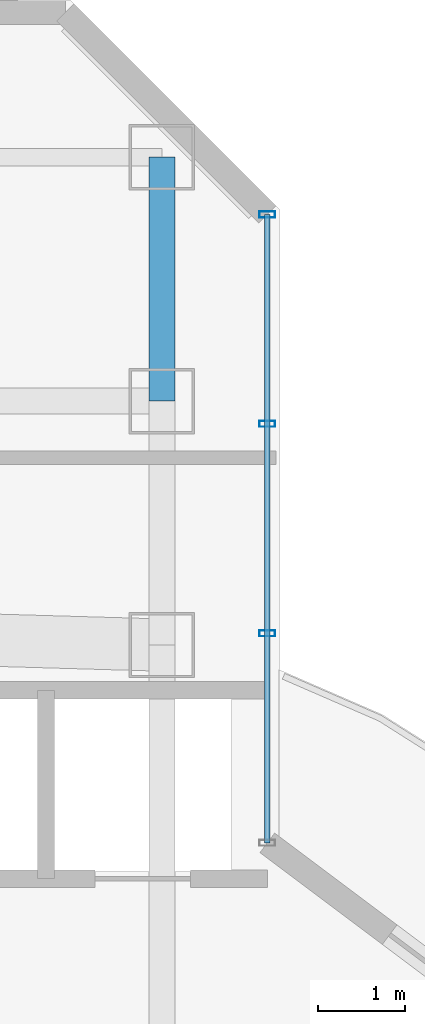
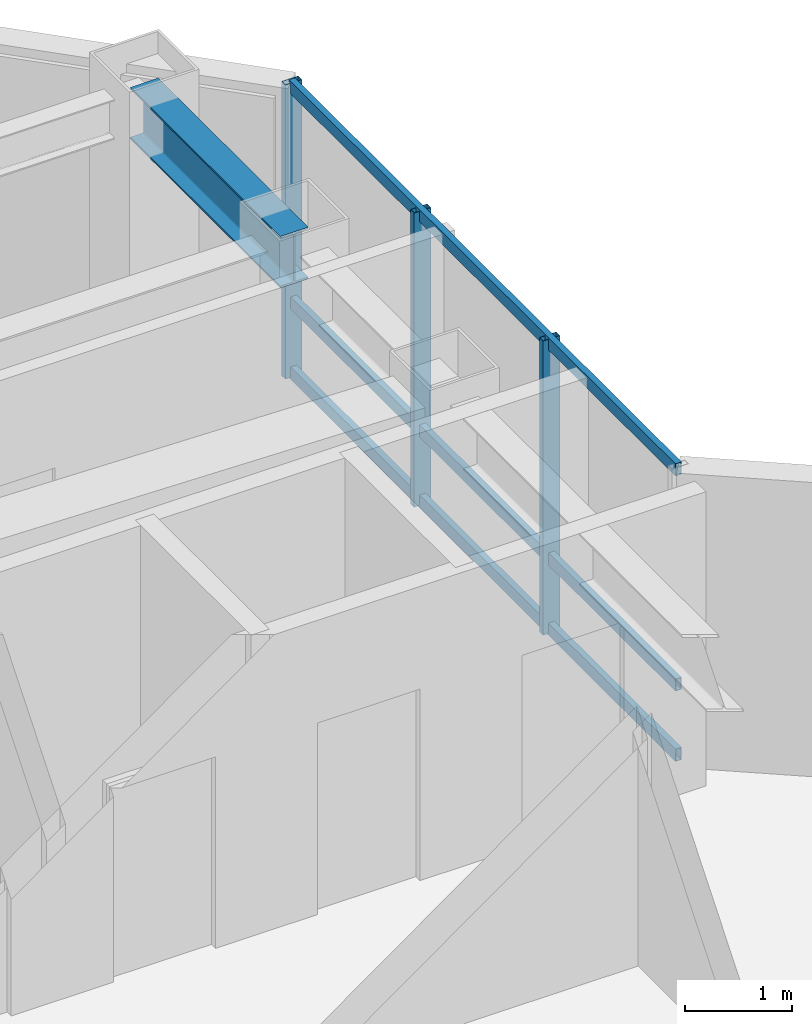
# One storey, part 17 of 24: 6 members, 1 beam, 1 element without a shape of its own.
"""IFC4 building model written with IfcOpenShell, lengths in metres."""

from ifc_helpers import new_model, si_unit, direction, frame, origin, origin_2d, place, context, subcontext, project, spatial, hollow_rectangle, i_section, extrude, material, layer, layer_set, material_profile, profile_set, type_object, element, aggregate, save


model = new_model("IFC4")

# Units and contexts
model_context = context("Model", 3, precision=1e-05, world=origin(), true_north=direction((0.0, 1.0)))
body_context = subcontext(model_context, "Body", "Model", "MODEL_VIEW")
ifc_project = project(units=[si_unit("LENGTHUNIT", "METRE"), si_unit("AREAUNIT", "SQUARE_METRE"), si_unit("VOLUMEUNIT", "CUBIC_METRE"), si_unit("PLANEANGLEUNIT", "RADIAN"), si_unit("MASSUNIT", "GRAM", prefix="KILO")], contexts=[model_context])

# Site, building, storey
site_placement = place(None, origin())
site = spatial("IfcSite", under=ifc_project, at=site_placement, CompositionType="ELEMENT")
building_placement = place(site_placement, origin())
building = spatial("IfcBuilding", under=site, at=building_placement, Name="Hatsunagi Terrace Concourse", CompositionType="ELEMENT")
storey_placement = place(building_placement, frame((0.0, 0.0, 202.35009765625)))
storey = spatial("IfcBuildingStorey", under=building, at=storey_placement, Name="L53", CompositionType="ELEMENT", Elevation=202.35009765625)

# Curtain wall, members
ifc_material_1 = material(Name="Anodised Aluminium Alloy 6063-T5", Category="aluminium")
ifc_layer = layer(ifc_material_1, 0.199951171875)
ifc_layer_set = layer_set([ifc_layer], Name="OfficeZone2_CW04")
curtain_wall_type = type_object("IfcCurtainWallType", Name="OfficeZone2_CW04", PredefinedType="NOTDEFINED", material=ifc_layer_set)
curtain_wall_placement = place(storey_placement, origin())
curtain_wall = element("IfcCurtainWall", 1, at=curtain_wall_placement, inside=storey, type_object=curtain_wall_type, Name="Unitised Curtain Wall CW-04 CW-L53-12", PredefinedType="NOTDEFINED")
ifc_material_2 = material(Name="Anodised Aluminium Alloy 6063-T5", Category="aluminium")
ifc_material_profile_1 = material_profile(ifc_material_2, hollow_rectangle(XDim=0.070068359375, YDim=0.179931640625, WallThickness=0.00390625, at=origin_2d()), Name="ALU-MUL-180x70x4")
ifc_profile_set_1 = profile_set([ifc_material_profile_1], Name="Anodised Aluminium Alloy 6063-T5")
member_type_1 = type_object("IfcMemberType", Name="CurtainWallMullion_180x70", PredefinedType="MULLION", material=ifc_profile_set_1)
member_1_placement = place(storey_placement, frame((44.860107421875, 47.94189453125, 0.0), z_axis=(0.0, 0.0, 1.0), x_axis=(0.0, -1.0, 0.0)))
member_1 = element("IfcMember", 2, at=member_1_placement, type_object=member_type_1, Name="Curtain Wall Mullion MUL-02", PredefinedType="MULLION", context=body_context, shape_type="SweptSolid", body=[
    extrude(hollow_rectangle(XDim=0.070068359375, YDim=0.179931640625, WallThickness=0.00390625, at=origin_2d()), origin(), (0.0, 0.0, 1.0), 3.349853515625),
])
member_2_placement = place(storey_placement, frame((44.860107421875, 45.5380859375, 0.0), z_axis=(0.0, 0.0, 1.0), x_axis=(0.0, -1.0, 0.0)))
member_2 = element("IfcMember", 3, at=member_2_placement, type_object=member_type_1, Name="Curtain Wall Mullion MUL-02", PredefinedType="MULLION", context=body_context, shape_type="SweptSolid", body=[
    extrude(hollow_rectangle(XDim=0.070068359375, YDim=0.179931640625, WallThickness=0.00390625, at=origin_2d()), origin(), (0.0, 0.0, 1.0), 3.349853515625),
])
member_3_placement = place(storey_placement, frame((44.860107421875, 43.134033203125, 0.0), z_axis=(0.0, 0.0, 1.0), x_axis=(0.0, -1.0, 0.0)))
member_3 = element("IfcMember", 4, at=member_3_placement, type_object=member_type_1, Name="Curtain Wall Mullion MUL-02", PredefinedType="MULLION", context=body_context, shape_type="SweptSolid", body=[
    extrude(hollow_rectangle(XDim=0.070068359375, YDim=0.179931640625, WallThickness=0.00390625, at=origin_2d()), origin(), (0.0, 0.0, 1.0), 3.349853515625),
])
ifc_material_3 = material(Name="Anodised Aluminium Alloy 6063-T5", Category="aluminium")
ifc_material_profile_2 = material_profile(ifc_material_3, hollow_rectangle(XDim=0.06494140625, YDim=0.139892578125, WallThickness=0.00390625, at=origin_2d()), Name="ALU-TRN-140x65x4")
ifc_profile_set_2 = profile_set([ifc_material_profile_2], Name="Anodised Aluminium Alloy 6063-T5")
member_type_2 = type_object("IfcMemberType", Name="CurtainWallTransom_140x65", PredefinedType="USERDEFINED", material=ifc_profile_set_2)
member_4_placement = place(storey_placement, frame((44.860107421875, 47.94189453125, 0.0498046875), z_axis=(0.0, -1.0, 0.0), x_axis=(1.0, 0.0, 0.0)))
member_4 = element("IfcMember", 5, at=member_4_placement, type_object=member_type_2, Name="Curtain Wall Transom TRN-02", ObjectType="TRANSOM", PredefinedType="USERDEFINED", context=body_context, shape_type="SweptSolid", body=[
    extrude(hollow_rectangle(XDim=0.06494140625, YDim=0.139892578125, WallThickness=0.00390625, at=origin_2d()), origin(), (0.0, 0.0, 1.0), 7.2119140625),
])
member_5_placement = place(storey_placement, frame((44.860107421875, 47.94189453125, 0.849853515625), z_axis=(0.0, -1.0, 0.0), x_axis=(1.0, 0.0, 0.0)))
member_5 = element("IfcMember", 6, at=member_5_placement, type_object=member_type_2, Name="Curtain Wall Transom TRN-02", ObjectType="TRANSOM", PredefinedType="USERDEFINED", context=body_context, shape_type="SweptSolid", body=[
    extrude(hollow_rectangle(XDim=0.06494140625, YDim=0.139892578125, WallThickness=0.00390625, at=origin_2d()), origin(), (0.0, 0.0, 1.0), 7.2119140625),
])
member_6_placement = place(storey_placement, frame((44.860107421875, 47.94189453125, 3.2998046875), z_axis=(0.0, -1.0, 0.0), x_axis=(1.0, 0.0, 0.0)))
member_6 = element("IfcMember", 7, at=member_6_placement, type_object=member_type_2, Name="Curtain Wall Transom TRN-02", ObjectType="TRANSOM", PredefinedType="USERDEFINED", context=body_context, shape_type="SweptSolid", body=[
    extrude(hollow_rectangle(XDim=0.06494140625, YDim=0.139892578125, WallThickness=0.00390625, at=origin_2d()), origin(), (0.0, 0.0, 1.0), 7.2119140625),
])
aggregate(curtain_wall, [member_1, member_2, member_3, member_4, member_5, member_6])

# Beam
ifc_material_4 = material(Name="Steel SN490B", Category="steel")
ifc_material_profile_3 = material_profile(ifc_material_4, i_section(OverallWidth=0.300048828125, OverallDepth=0.587890625, WebThickness=0.011962890625, FlangeThickness=0.02001953125, FilletRadius=0.01806640625, at=origin_2d()), Name="H-588x300x12x20")
ifc_profile_set_3 = profile_set([ifc_material_profile_3], Name="Steel SN490B")
beam_type = type_object("IfcBeamType", Name="OfficeHighGirder_H_588x300", PredefinedType="BEAM", material=ifc_profile_set_3)
beam_placement = place(storey_placement, frame((43.64990234375, 45.800048828125, 3.055908203125), z_axis=(0.0, 1.0, 0.0), x_axis=(-1.0, 0.0, 0.0)))
element("IfcBeam", 8, at=beam_placement, inside=storey, type_object=beam_type, Name="Beam G-06 BM-L53-KN-WN6", PredefinedType="BEAM", context=body_context, shape_type="SweptSolid", body=[
    extrude(i_section(OverallWidth=0.300048828125, OverallDepth=0.587890625, WebThickness=0.011962890625, FlangeThickness=0.02001953125, FilletRadius=0.01806640625, at=origin_2d()), origin(), (0.0, 0.0, 1.0), 2.800048828125),
])

save(model, "model.ifc")
